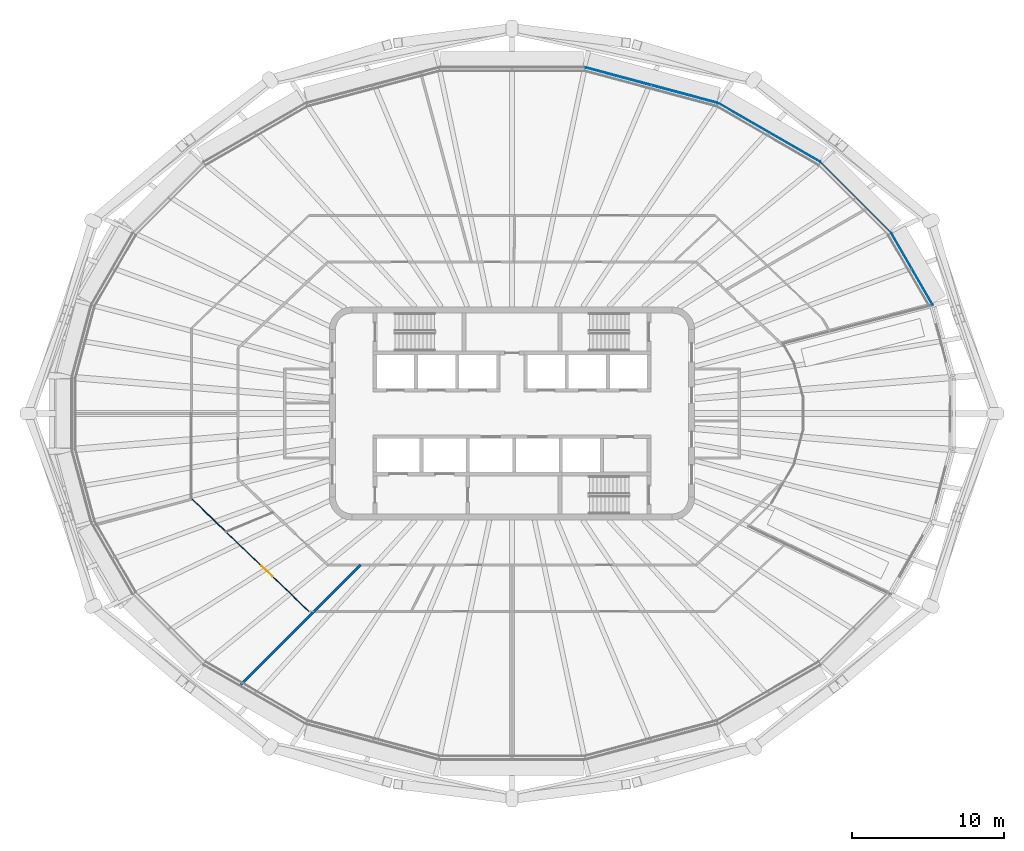
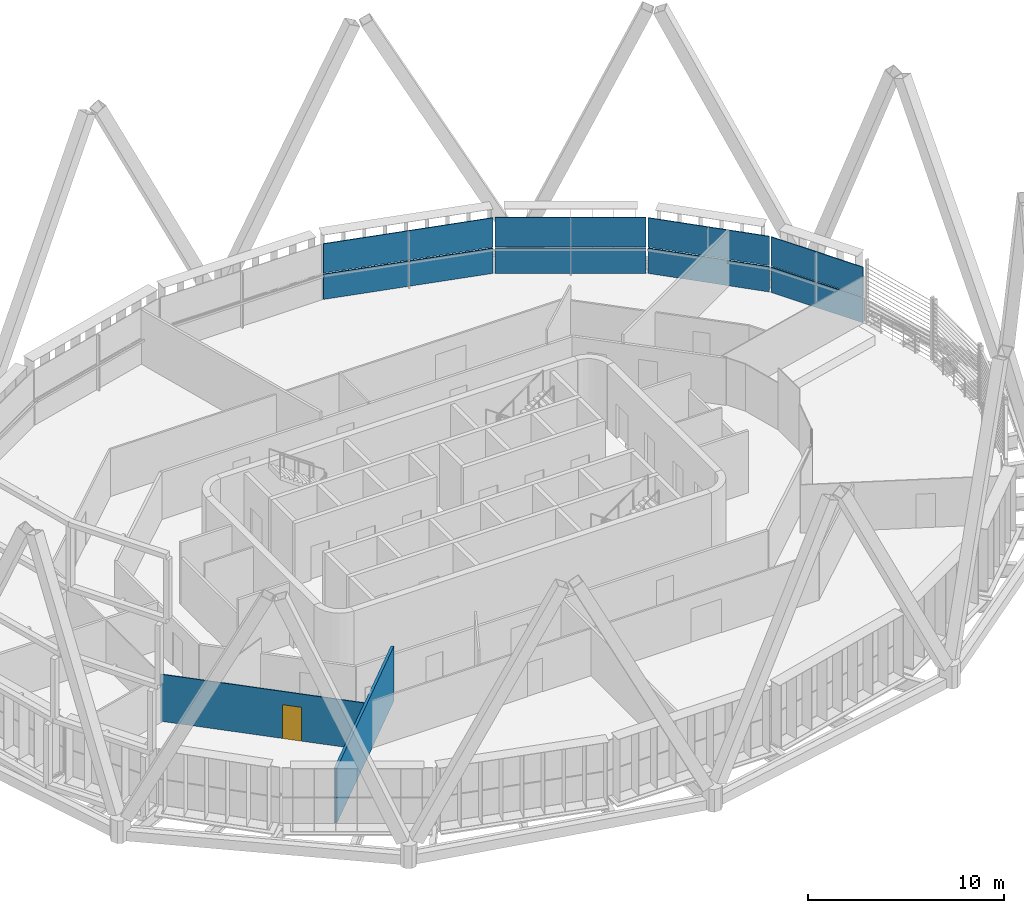
# One storey, part 10 of 22: 8 plates, 2 walls, 1 door, 1 opening, 4 elements without a shape of their own.
"""IFC4 building model written with IfcOpenShell, lengths in metres."""

import ifcopenshell
import ifcopenshell.guid

model = None  # the IFC model being written
_history = None  # IfcOwnerHistory: only IFC2X3 demands one
_inside = {}  # id of a spatial element -> (the spatial element, [elements in it])
_under = {}  # id of a project, library or spatial element -> (it, [spatial elements below it])
_declared = {}  # id of a project -> (the project, [libraries it declares])
_typed = {}  # id of a type object -> (the type object, [elements of that type])
_made_of = {}  # id of a material, layer set ... -> (it, [elements and type objects made of it])


def new_model(schema):
    """Start an empty IFC model of exactly this schema.

    Asked for "IFC4X3", IfcOpenShell would pick the latest addendum, in which some entities
    have other attributes; the version numbers below select the first issue.
    IFC2X3 requires an IfcOwnerHistory on every rooted entity: one is made here for all.
    """
    global model, _history
    if schema == "IFC4X3":
        model = ifcopenshell.file(schema_version=(4, 3, 0, 0))
    else:
        model = ifcopenshell.file(schema=schema)
    _inside.clear()
    _under.clear()
    _declared.clear()
    _typed.clear()
    _made_of.clear()
    _history = None
    if model.schema == "IFC2X3":
        org = make("IfcOrganization", Name="unknown")
        user = make(
            "IfcPersonAndOrganization",
            ThePerson=make("IfcPerson", FamilyName="unknown"),
            TheOrganization=org,
        )
        app = make(
            "IfcApplication",
            ApplicationDeveloper=org,
            Version="unknown",
            ApplicationFullName="unknown",
            ApplicationIdentifier="unknown",
        )
        _history = make(
            "IfcOwnerHistory",
            OwningUser=user,
            OwningApplication=app,
            ChangeAction="ADDED",
            CreationDate=0,
        )
    return model


def make(cls, **values):
    """One entity of the class cls with the attributes given. An attribute that is None is left unset."""
    return model.create_entity(
        cls, **{name: value for name, value in values.items() if value is not None}
    )


def rooted(cls, **values):
    """An entity with a GlobalId (a new one), such as an element, a storey or a relation."""
    return make(cls, GlobalId=ifcopenshell.guid.new(), OwnerHistory=_history, **values)


def si_unit(unit_type, name, prefix=None):
    """IfcSIUnit, for example si_unit("LENGTHUNIT", "METRE", prefix="MILLI")."""
    return make("IfcSIUnit", UnitType=unit_type, Prefix=prefix, Name=name)


def assignment(units):
    """IfcUnitAssignment: the units of a project."""
    return None if units is None else make("IfcUnitAssignment", Units=units)


def point(xyz):
    """IfcCartesianPoint."""
    return None if xyz is None else make("IfcCartesianPoint", Coordinates=xyz)


def direction(xyz):
    """IfcDirection."""
    return None if xyz is None else make("IfcDirection", DirectionRatios=xyz)


def frame(location, z_axis=None, x_axis=None):
    """IfcAxis2Placement3D, a coordinate frame: its origin and axes. An axis left out is left unset."""
    return make(
        "IfcAxis2Placement3D",
        Location=point(location),
        Axis=direction(z_axis),
        RefDirection=direction(x_axis),
    )


def frame_2d(location, x_axis=None):
    """IfcAxis2Placement2D, a coordinate frame in the plane: its origin and x axis."""
    return make(
        "IfcAxis2Placement2D", Location=point(location), RefDirection=direction(x_axis)
    )


def origin():
    """The frame at (0, 0, 0) with its axes left unset."""
    return frame((0.0, 0.0, 0.0))


def place(relative_to, where):
    """IfcLocalPlacement: puts the frame where relative to a parent placement (None: the world)."""
    return make(
        "IfcLocalPlacement", PlacementRelTo=relative_to, RelativePlacement=where
    )


def context(
    kind, dimensions, precision=None, world=None, true_north=None, identifier=None
):
    """IfcGeometricRepresentationContext, for example the 3D "Model" context."""
    return make(
        "IfcGeometricRepresentationContext",
        ContextIdentifier=identifier,
        ContextType=kind,
        CoordinateSpaceDimension=dimensions,
        Precision=precision,
        WorldCoordinateSystem=world,
        TrueNorth=true_north,
    )


def subcontext(parent, identifier, kind, view, scale=None):
    """IfcGeometricRepresentationSubContext, for example "Body" below "Model"."""
    return make(
        "IfcGeometricRepresentationSubContext",
        ContextIdentifier=identifier,
        ContextType=kind,
        ParentContext=parent,
        TargetScale=scale,
        TargetView=view,
    )


def project(units=None, contexts=None):
    """IfcProject with its units and contexts."""
    return rooted(
        "IfcProject",
        Name="project",
        RepresentationContexts=contexts,
        UnitsInContext=assignment(units),
    )


def spatial(cls, under=None, at=None, **own):
    """A site, building, storey or space (cls), placed at a placement, below another one or the project."""
    s = rooted(cls, ObjectPlacement=at, **own)
    if under is not None:
        _under.setdefault(under.id(), (under, []))[1].append(s)
    return s


def polyline(points):
    """IfcPolyline through the points."""
    return make("IfcPolyline", Points=[point(p) for p in points])


def profile(cls, at=None, kind="AREA", **sizes):
    """A parametric profile (cls). Its sizes go by their IFC names, for example OverallWidth=200.0."""
    return make(cls, ProfileType=kind, Position=at, **sizes)


def rectangle(**sizes):
    """IfcRectangleProfileDef."""
    return profile("IfcRectangleProfileDef", **sizes)


def outline(outer, holes=None, kind="AREA"):
    """IfcArbitraryClosedProfileDef: a profile drawn as a closed curve; with holes, ...WithVoids."""
    if holes is None:
        return make("IfcArbitraryClosedProfileDef", ProfileType=kind, OuterCurve=outer)
    return make(
        "IfcArbitraryProfileDefWithVoids",
        ProfileType=kind,
        OuterCurve=outer,
        InnerCurves=holes,
    )


def extrude(swept, where, along, depth):
    """IfcExtrudedAreaSolid: the profile swept, set in the frame where, extruded along a direction by depth."""
    return make(
        "IfcExtrudedAreaSolid",
        SweptArea=swept,
        Position=where,
        ExtrudedDirection=direction(along),
        Depth=depth,
    )


def shape(context_of_items, identifier, shape_type, items):
    """IfcShapeRepresentation: the items that make up one representation, for example the "Body"."""
    return make(
        "IfcShapeRepresentation",
        ContextOfItems=context_of_items,
        RepresentationIdentifier=identifier,
        RepresentationType=shape_type,
        Items=items,
    )


def material(Name=None, Category=None):
    """IfcMaterial."""
    return make("IfcMaterial", Name=Name, Category=Category)


def layer(
    of_material, thickness, ventilated=None, Name=None, Category=None, Priority=None
):
    """IfcMaterialLayer: one layer of a wall or slab, of a material (None: an air gap)."""
    return make(
        "IfcMaterialLayer",
        Material=of_material,
        LayerThickness=thickness,
        IsVentilated=ventilated,
        Name=Name,
        Category=Category,
        Priority=Priority,
    )


def layer_set(layers, Name=None):
    """IfcMaterialLayerSet."""
    return make("IfcMaterialLayerSet", MaterialLayers=layers, LayerSetName=Name)


def made_of(thing, what):
    """Note that an element or type object is made of a material, layer set ...; save() writes the relation."""
    if what is not None:
        _made_of.setdefault(what.id(), (what, []))[1].append(thing)
    return thing


def type_object(cls, material=None, **own):
    """A type object (cls), such as IfcWallType, which elements share."""
    return made_of(rooted(cls, **own), material)


def element(
    cls,
    number,
    at=None,
    inside=None,
    cuts=None,
    type_object=None,
    material=None,
    context=None,
    identifier="Body",
    shape_type=None,
    held_by="IfcProductDefinitionShape",
    body=None,
    shapes=None,
    **own,
):
    """One element of the class cls, such as IfcWall. Its Tag is "e" and its number.

    at: its placement. inside: the storey or other place that contains it. cuts: it is an
    opening in that element (IfcRelVoidsElement). A single representation is given by context,
    identifier, shape_type and body (its items); several are given by shapes. held_by: the class
    of the entity that holds the representations. save() writes the other relations.
    """
    e = rooted(cls, Tag="e%d" % number, ObjectPlacement=at, **own)
    if body is not None:
        shapes = [shape(context, identifier, shape_type, body)]
    if shapes is not None:
        e.Representation = make(held_by, Representations=shapes)
    if inside is not None:
        _inside.setdefault(inside.id(), (inside, []))[1].append(e)
    if cuts is not None:
        rooted(
            "IfcRelVoidsElement", RelatingBuildingElement=cuts, RelatedOpeningElement=e
        )
    if type_object is not None:
        _typed.setdefault(type_object.id(), (type_object, []))[1].append(e)
    return made_of(e, material)


def fill(opening, filler):
    """IfcRelFillsElement: the door or window that sits in an opening."""
    return rooted(
        "IfcRelFillsElement",
        RelatingOpeningElement=opening,
        RelatedBuildingElement=filler,
    )


def aggregate(whole, parts):
    """IfcRelAggregates: a whole, such as a stair, and the parts it consists of."""
    return rooted("IfcRelAggregates", RelatingObject=whole, RelatedObjects=parts)


def save(model, path):
    """Write the relations noted so far, then the file.

    IfcRelAggregates (storeys below a building ...), IfcRelContainedInSpatialStructure (elements
    in a storey), IfcRelDefinesByType, IfcRelAssociatesMaterial and IfcRelDeclares: one each for
    every whole, place, type object, material and project.
    """
    for whole, parts in _under.values():
        aggregate(whole, parts)
    for where, things in _inside.values():
        rooted(
            "IfcRelContainedInSpatialStructure",
            RelatedElements=things,
            RelatingStructure=where,
        )
    for kind, things in _typed.values():
        rooted("IfcRelDefinesByType", RelatedObjects=things, RelatingType=kind)
    for what, things in _made_of.values():
        rooted("IfcRelAssociatesMaterial", RelatedObjects=things, RelatingMaterial=what)
    for by, libraries in _declared.values():
        rooted("IfcRelDeclares", RelatingContext=by, RelatedDefinitions=libraries)
    model.write(path)


model = new_model("IFC4")

# Units and contexts
model_context = context("Model", 3, precision=1e-05, world=origin(), true_north=direction((0.0, 1.0)))
body_context = subcontext(model_context, "Body", "Model", "MODEL_VIEW")
ifc_project = project(units=[si_unit("LENGTHUNIT", "METRE"), si_unit("AREAUNIT", "SQUARE_METRE"), si_unit("VOLUMEUNIT", "CUBIC_METRE"), si_unit("PLANEANGLEUNIT", "RADIAN"), si_unit("MASSUNIT", "GRAM", prefix="KILO")], contexts=[model_context])

# Site, building, storey
site_placement = place(None, origin())
site = spatial("IfcSite", under=ifc_project, at=site_placement, CompositionType="ELEMENT")
building_placement = place(site_placement, origin())
building = spatial("IfcBuilding", under=site, at=building_placement, Name="Sahrelin Media Tower", CompositionType="ELEMENT")
storey_placement = place(building_placement, frame((0.0, 0.0, 283.0)))
storey = spatial("IfcBuildingStorey", under=building, at=storey_placement, Name="L62", CompositionType="ELEMENT", Elevation=283.0)

# Curtain wall, plate
ifc_material_1 = material(Name="Champagne anodised aluminium 6063-T6", Category="aluminium")
ifc_layer_1 = layer(ifc_material_1, 0.14990234375)
ifc_layer_set_1 = layer_set([ifc_layer_1], Name="Tower ribbon curtain wall")
curtain_wall_type = type_object("IfcCurtainWallType", Name="Tower ribbon curtain wall", PredefinedType="NOTDEFINED", material=ifc_layer_set_1)
curtain_wall_1_placement = place(storey_placement, frame((26.26708984375, 9.512451171875, 0.0), z_axis=(0.0, 0.0, 1.0), x_axis=(1.0, 0.0, 0.0)))
curtain_wall_1 = element("IfcCurtainWall", 1, at=curtain_wall_1_placement, inside=storey, type_object=curtain_wall_type, Name="L62:CW:L62-02", PredefinedType="NOTDEFINED")
ifc_material_2 = material(Name="Clear low-iron glazing", Category="glass")
ifc_layer_2 = layer(ifc_material_2, 0.048095703125)
ifc_layer_set_2 = layer_set([ifc_layer_2], Name="Glazing panel 48 mm CW1C")
plate_type_1 = type_object("IfcPlateType", Name="Glazing panel 48 mm CW1C", PredefinedType="CURTAIN_PANEL", material=ifc_layer_set_2)
plate_1_placement = place(storey_placement, frame((27.635986328125, 7.18115234375, 1.6298828125), z_axis=(0.866036707733, 0.499980420476, 0.0), x_axis=(-0.499980420476, 0.866036707733, 0.0)))
plate_1 = element("IfcPlate", 2, at=plate_1_placement, type_object=plate_type_1, Name="L62:CWP2:L62-02", PredefinedType="CURTAIN_PANEL", context=body_context, shape_type="SweptSolid", body=[
    extrude(outline(polyline([(0.0, 0.0), (5.406982421875, 0.0), (5.406982421875, 1.818603515625), (0.0, 1.818603515625), (0.0, 0.0)])), origin(), (0.0, 0.0, -1.0), 0.048095703125),
])

curtain_wall_2_placement = place(storey_placement, frame((22.593017578125, 14.1943359375, 0.0), z_axis=(0.0, 0.0, 1.0), x_axis=(1.0, 0.0, 0.0)))
curtain_wall_2 = element("IfcCurtainWall", 3, at=curtain_wall_2_placement, inside=storey, type_object=curtain_wall_type, Name="L62:CW:L62-03", PredefinedType="NOTDEFINED")
plate_2_placement = place(storey_placement, frame((24.869140625, 11.946533203125, 1.6298828125), z_axis=(0.707106781187, 0.707106781187, 0.0), x_axis=(-0.707106781187, 0.707106781187, 0.0)))
plate_2 = element("IfcPlate", 4, at=plate_2_placement, type_object=plate_type_1, Name="L62:CWP2:L62-03", PredefinedType="CURTAIN_PANEL", context=body_context, shape_type="SweptSolid", body=[
    extrude(outline(polyline([(0.0, 0.0), (6.398193359375, 0.0), (6.398193359375, 1.818603515625), (0.0, 1.818603515625), (0.0, 0.0)])), origin(), (0.0, 0.0, -1.0), 0.048095703125),
])

curtain_wall_3_placement = place(storey_placement, frame((16.9150390625, 18.443603515625, 0.0), z_axis=(0.0, 0.0, 1.0), x_axis=(1.0, 0.0, 0.0)))
curtain_wall_3 = element("IfcCurtainWall", 5, at=curtain_wall_3_placement, inside=storey, type_object=curtain_wall_type, Name="L62:CW:L62-04", PredefinedType="NOTDEFINED")
plate_3_placement = place(storey_placement, frame((20.26220703125, 16.5341796875, 1.6298828125), z_axis=(0.500009464026, 0.866019939657, 0.0), x_axis=(-0.866019939657, 0.500009464026, 0.0)))
plate_3 = element("IfcPlate", 6, at=plate_3_placement, type_object=plate_type_1, Name="L62:CWP2:L62-04", PredefinedType="CURTAIN_PANEL", context=body_context, shape_type="SweptSolid", body=[
    extrude(outline(polyline([(0.0, 0.0), (7.706787109375, 0.0), (7.706787109375, 1.818603515625), (0.0, 1.818603515625), (0.0, 0.0)])), origin(), (0.0, 0.0, -1.0), 0.048095703125),
])

curtain_wall_4_placement = place(storey_placement, frame((9.163330078125, 21.56640625, 0.0), z_axis=(0.0, 0.0, 1.0), x_axis=(1.0, 0.0, 0.0)))
curtain_wall_4 = element("IfcCurtainWall", 7, at=curtain_wall_4_placement, inside=storey, type_object=curtain_wall_type, Name="L62:CW:L62-05", PredefinedType="NOTDEFINED")
plate_4_placement = place(storey_placement, frame((13.491455078125, 20.427490234375, 1.6298828125), z_axis=(0.258821978042, 0.965925040405, 0.0), x_axis=(-0.965925040405, 0.258821978042, 0.0)))
plate_4 = element("IfcPlate", 8, at=plate_4_placement, type_object=plate_type_1, Name="L62:CWP2:L62-05", PredefinedType="CURTAIN_PANEL", context=body_context, shape_type="SweptSolid", body=[
    extrude(outline(polyline([(0.0, 0.0), (8.95068359375, 0.0), (8.95068359375, 1.818603515625), (0.0, 1.818603515625), (0.0, 0.0)])), origin(), (0.0, 0.0, -1.0), 0.048095703125),
])

# Plate
ifc_material_3 = material(Name="Insulated spandrel panel")
ifc_layer_3 = layer(ifc_material_3, 0.06005859375)
ifc_layer_set_3 = layer_set([ifc_layer_3], Name="Spandrel panel 60 mm CW1")
plate_type_2 = type_object("IfcPlateType", Name="Spandrel panel 60 mm CW1", PredefinedType="SHEET", material=ifc_layer_set_3)
plate_5_placement = place(storey_placement, frame((27.635986328125, 7.18115234375, 0.0), z_axis=(0.866036707733, 0.499980420476, 0.0), x_axis=(-0.499980420476, 0.866036707733, 0.0)))
plate_5 = element("IfcPlate", 9, at=plate_5_placement, type_object=plate_type_2, Name="L62:CWP1:L62-02", PredefinedType="SHEET", context=body_context, shape_type="SweptSolid", body=[
    extrude(outline(polyline([(0.0, 0.0), (5.406982421875, 0.0), (5.406982421875, 1.570068359375), (0.0, 1.570068359375), (0.0, 0.0)])), origin(), (0.0, 0.0, -1.0), 0.06005859375),
])

aggregate(curtain_wall_1, [plate_5, plate_1])

plate_6_placement = place(storey_placement, frame((24.869140625, 11.946533203125, 0.0), z_axis=(0.707106781187, 0.707106781187, 0.0), x_axis=(-0.707106781187, 0.707106781187, 0.0)))
plate_6 = element("IfcPlate", 10, at=plate_6_placement, type_object=plate_type_2, Name="L62:CWP1:L62-03", PredefinedType="SHEET", context=body_context, shape_type="SweptSolid", body=[
    extrude(outline(polyline([(0.0, 0.0), (6.398193359375, 0.0), (6.398193359375, 1.570068359375), (0.0, 1.570068359375), (0.0, 0.0)])), origin(), (0.0, 0.0, -1.0), 0.06005859375),
])

aggregate(curtain_wall_2, [plate_6, plate_2])

plate_7_placement = place(storey_placement, frame((20.26220703125, 16.5341796875, 0.0), z_axis=(0.500009464026, 0.866019939657, 0.0), x_axis=(-0.866019939657, 0.500009464026, 0.0)))
plate_7 = element("IfcPlate", 11, at=plate_7_placement, type_object=plate_type_2, Name="L62:CWP1:L62-04", PredefinedType="SHEET", context=body_context, shape_type="SweptSolid", body=[
    extrude(outline(polyline([(0.0, 0.0), (7.706787109375, 0.0), (7.706787109375, 1.570068359375), (0.0, 1.570068359375), (0.0, 0.0)])), origin(), (0.0, 0.0, -1.0), 0.06005859375),
])

aggregate(curtain_wall_3, [plate_7, plate_3])

plate_8_placement = place(storey_placement, frame((13.491455078125, 20.427490234375, 0.0), z_axis=(0.258821978042, 0.965925040405, 0.0), x_axis=(-0.965925040405, 0.258821978042, 0.0)))
plate_8 = element("IfcPlate", 12, at=plate_8_placement, type_object=plate_type_2, Name="L62:CWP1:L62-05", PredefinedType="SHEET", context=body_context, shape_type="SweptSolid", body=[
    extrude(outline(polyline([(0.0, 0.0), (8.95068359375, 0.0), (8.95068359375, 1.570068359375), (0.0, 1.570068359375), (0.0, 0.0)])), origin(), (0.0, 0.0, -1.0), 0.06005859375),
])

aggregate(curtain_wall_4, [plate_8, plate_4])

# Wall
ifc_material_4 = material(Name="Fire-rated gypsum board partition")
ifc_layer_4 = layer(ifc_material_4, 0.14990234375)
ifc_layer_set_4 = layer_set([ifc_layer_4], Name="Fire-rated partition 150")
wall_type_1 = type_object("IfcWallType", Name="Fire-rated partition 150", PredefinedType="PARTITIONING", material=ifc_layer_set_4)
wall_1_placement = place(storey_placement, frame((-17.884033203125, -17.884033203125, 0.0), z_axis=(0.0, 0.0, 1.0), x_axis=(0.707106781187, 0.707106781187, 0.0)))
element("IfcWall", 13, at=wall_1_placement, inside=storey, type_object=wall_type_1, Name="Wall", PredefinedType="PARTITIONING", context=body_context, shape_type="SweptSolid", body=[
    extrude(rectangle(XDim=11.221923828125, YDim=0.14990234375, at=frame_2d((5.61083984375, 0.0))), origin(), (0.0, 0.0, 1.0), 3.423583984375),
])

# Wall, opening, door
ifc_material_5 = material(Name="Clear glass", Category="glass")
ifc_layer_5 = layer(ifc_material_5, 0.050048828125)
ifc_layer_set_5 = layer_set([ifc_layer_5], Name="Glazed partition 50")
wall_type_2 = type_object("IfcWallType", Name="Glazed partition 50", PredefinedType="PARTITIONING", material=ifc_layer_set_5)
wall_2_placement = place(storey_placement, frame((-21.06005859375, -5.58203125, 0.0), z_axis=(0.0, 0.0, 1.0), x_axis=(0.72130541771, -0.692617134051, 0.0)))
wall_2 = element("IfcWall", 14, at=wall_2_placement, inside=storey, type_object=wall_type_2, Name="Wall", PredefinedType="PARTITIONING", context=body_context, shape_type="SweptSolid", body=[
    extrude(rectangle(XDim=10.72265625, YDim=0.050048828125, at=frame_2d((5.361328125, 0.0))), origin(), (0.0, 0.0, 1.0), 2.927001953125),
])
opening_placement = place(wall_2_placement, frame((6.395263671875, 0.0, 0.0)))
opening = element("IfcOpeningElement", 15, at=opening_placement, cuts=wall_2, Name="Opening L62-D29", PredefinedType="OPENING", context=body_context, shape_type="SweptSolid", body=[
    extrude(rectangle(XDim=1.0, YDim=2.10009765625, at=frame_2d((0.5, 1.050048828125))), frame((0.0, 0.02490234375, 0.0), z_axis=(0.0, -1.0, 0.0), x_axis=(1.0, 0.0, 0.0)), (0.0, 0.0, 1.0), 0.050048828125),
])
door_type = type_object("IfcDoorType", Name="Glazed door 1000 x 2100", OperationType="NOTDEFINED", PredefinedType="DOOR", material=ifc_material_5)
door_placement = place(opening_placement, origin())
door = element("IfcDoor", 16, at=door_placement, inside=storey, type_object=door_type, Name="Glazed door", OperationType="SINGLE_SWING_RIGHT", OverallHeight=2.10009765625, OverallWidth=1.0, PredefinedType="DOOR", context=body_context, shape_type="SweptSolid", body=[
    extrude(rectangle(XDim=1.0, YDim=2.10009765625, at=frame_2d((0.5, 1.050048828125))), frame((0.0, 0.02490234375, 0.0), z_axis=(0.0, -1.0, 0.0), x_axis=(1.0, 0.0, 0.0)), (0.0, 0.0, 1.0), 0.049560546875),
])
fill(opening, door)

save(model, "model.ifc")
